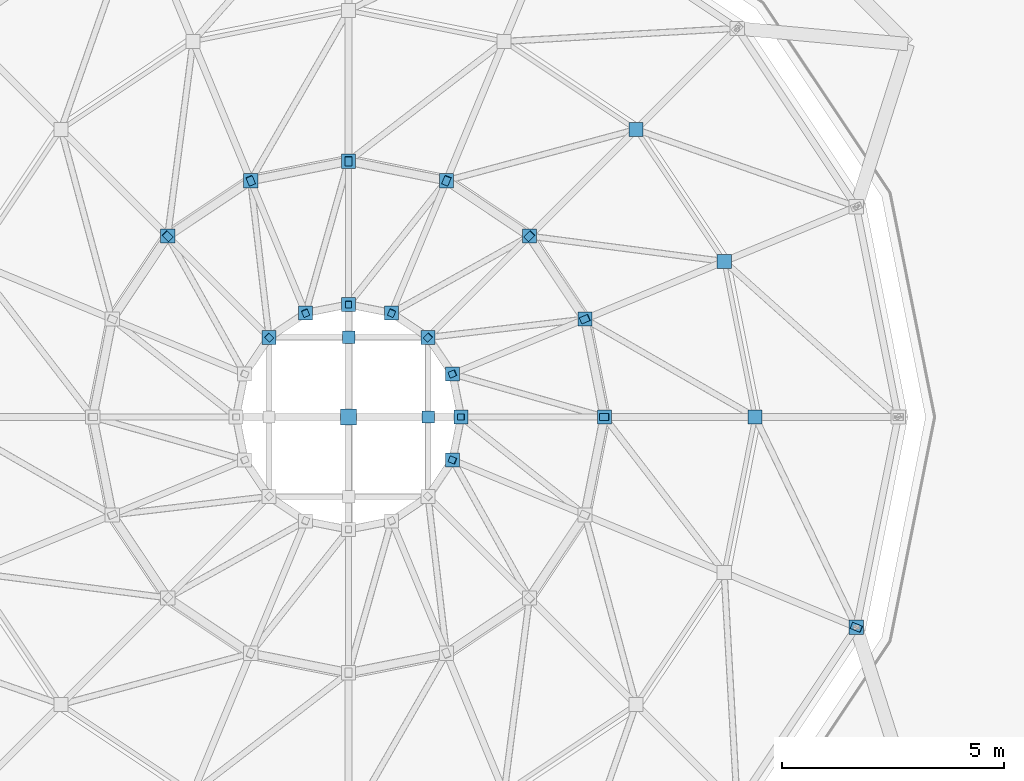
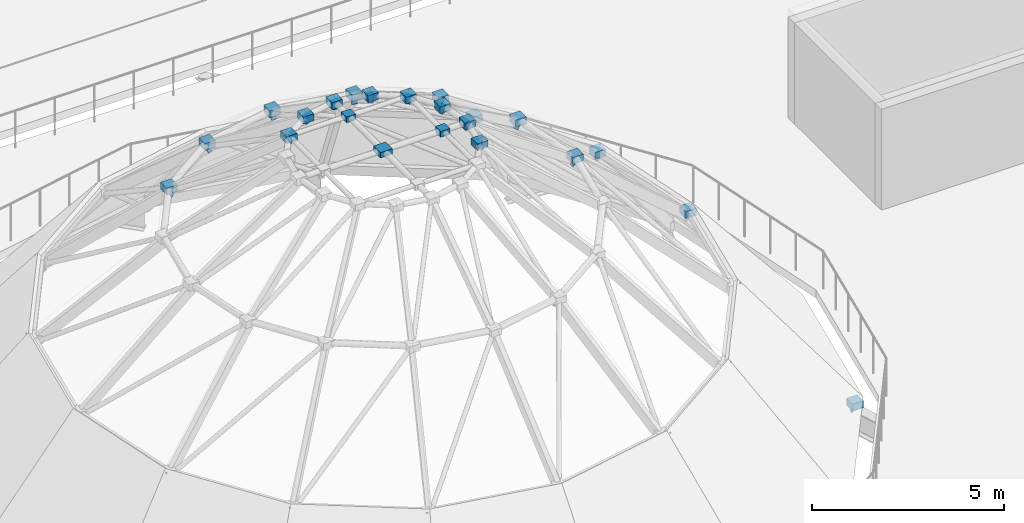
# One storey, part 29 of 40: 38 discrete accessories.
"""IFC4 building model written with IfcOpenShell, lengths in metres."""

from ifc_helpers import new_model, si_unit, direction, frame, origin, origin_2d, place, context, subcontext, project, spatial, rectangle, extrude, material, type_object, element, save


model = new_model("IFC4")

# Units and contexts
model_context = context("Model", 3, precision=1e-05, world=origin(), true_north=direction((0.0, 1.0)))
body_context = subcontext(model_context, "Body", "Model", "MODEL_VIEW")
ifc_project = project(units=[si_unit("LENGTHUNIT", "METRE"), si_unit("AREAUNIT", "SQUARE_METRE"), si_unit("VOLUMEUNIT", "CUBIC_METRE"), si_unit("PLANEANGLEUNIT", "RADIAN"), si_unit("MASSUNIT", "GRAM", prefix="KILO"), si_unit("THERMODYNAMICTEMPERATUREUNIT", "KELVIN")], contexts=[model_context])

# Site, building, storey
site_placement = place(None, origin())
site = spatial("IfcSite", under=ifc_project, at=site_placement, CompositionType="ELEMENT")
building_placement = place(site_placement, origin())
building = spatial("IfcBuilding", under=site, at=building_placement, Name="Lustrewick Department Store", CompositionType="ELEMENT")
storey_placement = place(building_placement, frame((0.0, 0.0, 31.800048828125)))
storey = spatial("IfcBuildingStorey", under=building, at=storey_placement, Name="L07", CompositionType="ELEMENT", Elevation=31.800048828125)

# Discrete accessories
ifc_material = material(Name="Structural steel Q355C", Category="steel")
discrete_accessory_type_1 = type_object("IfcDiscreteAccessoryType", Name="GUS-NODE", PredefinedType="BRACKET", material=ifc_material)
for number, where, z_axis, x_axis, name in (
    (1, (29.39990234375, 68.9921875, 8.9052734375), (0.0, 0.0, 1.0), (1.0, 0.0, 0.0), "V1 Dome Oculus X-Brace Crossing Gusset Node 1"),
    (2, (31.192138671875, 67.199951171875, 8.9052734375), (0.0, 0.0, 1.0), (1.0, 0.0, 0.0), "V1 Dome Oculus X-Brace Crossing Gusset Node 4"),
):
    element("IfcDiscreteAccessory", number, at=place(storey_placement, frame(where, z_axis=z_axis, x_axis=x_axis)), inside=storey, type_object=discrete_accessory_type_1, Name=name, PredefinedType="BRACKET", context=body_context, shape_type="SweptSolid", body=[
        extrude(rectangle(XDim=0.280029296875, YDim=0.280029296875, at=origin_2d()), origin(), (0.0, 0.0, 1.0), 0.179931640625),
    ])
for number, where, z_axis, x_axis, name in (
    (3, (40.83984375, 62.46142578125, -0.28076171875), (0.0, 0.0, 1.0), (1.0, 0.0, 0.0), "V1 Dome Truss Ring 0 Node Gusset 16"),
    (4, (38.559814453125, 67.199951171875, 3.755859375), (0.0, 0.0, 1.0), (1.0, 0.0, 0.0), "V1 Dome Truss Ring 1 Node Gusset 01"),
    (5, (37.862548828125, 70.705322265625, 3.755859375), (0.0, 0.0, 1.0), (1.0, 0.0, 0.0), "V1 Dome Truss Ring 1 Node Gusset 02"),
    (6, (35.876953125, 73.677001953125, 3.755859375), (0.0, 0.0, 1.0), (1.0, 0.0, 0.0), "V1 Dome Truss Ring 1 Node Gusset 03"),
    (7, (35.163330078125, 67.199951171875, 6.66796875), (0.0, 0.0, 1.0), (1.0, 0.0, 0.0), "V1 Dome Truss Ring 2 Node Gusset 01"),
    (8, (34.724609375, 69.405517578125, 6.66796875), (0.0, 0.0, 1.0), (1.0, 0.0, 0.0), "V1 Dome Truss Ring 2 Node Gusset 02"),
    (9, (33.475341796875, 71.275390625, 6.66796875), (0.0, 0.0, 1.0), (1.0, 0.0, 0.0), "V1 Dome Truss Ring 2 Node Gusset 03"),
    (10, (31.605712890625, 72.524658203125, 6.66796875), (0.0, 0.0, 1.0), (1.0, 0.0, 0.0), "V1 Dome Truss Ring 2 Node Gusset 04"),
    (11, (29.39990234375, 72.96337890625, 6.66796875), (0.0, 0.0, 1.0), (1.0, 0.0, 0.0), "V1 Dome Truss Ring 2 Node Gusset 05"),
    (12, (27.1943359375, 72.524658203125, 6.66796875), (0.0, 0.0, 1.0), (1.0, 0.0, 0.0), "V1 Dome Truss Ring 2 Node Gusset 06"),
    (13, (25.32470703125, 71.275390625, 6.66796875), (0.0, 0.0, 1.0), (1.0, 0.0, 0.0), "V1 Dome Truss Ring 2 Node Gusset 07"),
    (14, (31.9345703125, 67.199951171875, 8.88525390625), (0.0, 0.0, 1.0), (1.0, 0.0, 0.0), "V1 Dome Truss Ring 3 Node Gusset 01"),
    (15, (31.74169921875, 68.169921875, 8.88525390625), (0.0, 0.0, 1.0), (1.0, 0.0, 0.0), "V1 Dome Truss Ring 3 Node Gusset 02"),
    (16, (31.192138671875, 68.9921875, 8.88525390625), (0.0, 0.0, 1.0), (1.0, 0.0, 0.0), "V1 Dome Truss Ring 3 Node Gusset 03"),
    (17, (30.369873046875, 69.541748046875, 8.88525390625), (0.0, 0.0, 1.0), (1.0, 0.0, 0.0), "V1 Dome Truss Ring 3 Node Gusset 04"),
    (18, (29.39990234375, 69.734619140625, 8.88525390625), (0.0, 0.0, 1.0), (1.0, 0.0, 0.0), "V1 Dome Truss Ring 3 Node Gusset 05"),
    (19, (28.43017578125, 69.541748046875, 8.88525390625), (0.0, 0.0, 1.0), (1.0, 0.0, 0.0), "V1 Dome Truss Ring 3 Node Gusset 06"),
    (20, (27.60791015625, 68.9921875, 8.88525390625), (0.0, 0.0, 1.0), (1.0, 0.0, 0.0), "V1 Dome Truss Ring 3 Node Gusset 07"),
    (21, (31.74169921875, 66.22998046875, 8.88525390625), (0.0, 0.0, 1.0), (1.0, 0.0, 0.0), "V1 Dome Truss Ring 3 Node Gusset 16"),
):
    element("IfcDiscreteAccessory", number, at=place(storey_placement, frame(where, z_axis=z_axis, x_axis=x_axis)), inside=storey, type_object=discrete_accessory_type_1, Name=name, PredefinedType="BRACKET", context=body_context, shape_type="SweptSolid", body=[
        extrude(rectangle(XDim=0.320068359375, YDim=0.320068359375, at=origin_2d()), origin(), (0.0, 0.0, 1.0), 0.219970703125),
    ])
discrete_accessory_type_2 = type_object("IfcDiscreteAccessoryType", Name="SB-PTFE", PredefinedType="BRACKET", material=ifc_material)
discrete_accessory_1_placement = place(storey_placement, frame((29.39990234375, 67.199951171875, 8.9111328125), z_axis=(0.0, 0.0, 1.0), x_axis=(1.0, 0.0, 0.0)))
element("IfcDiscreteAccessory", 22, at=discrete_accessory_1_placement, inside=storey, type_object=discrete_accessory_type_2, Name="V1 Dome Oculus Central Steel Hub Boss", PredefinedType="BRACKET", context=body_context, shape_type="SweptSolid", body=[
    extrude(rectangle(XDim=0.360107421875, YDim=0.360107421875, at=origin_2d()), origin(), (0.0, 0.0, 1.0), 0.16796875),
])
discrete_accessory_type_3 = type_object("IfcDiscreteAccessoryType", Name="ECP-01", PredefinedType="USERDEFINED", material=ifc_material)
for number, where, z_axis, x_axis, name in (
    (23, (40.83642578125, 62.462890625, -0.322021484375), (0.579384507666, -0.239973033885, -0.778926527527), (-0.38266180877, -0.923888489001, 0.0), "L07 Welded Hollow-Section End-Cap Plate ECP-01"),
    (24, (29.39990234375, 72.968017578125, 6.62353515625), (0.0, -0.760656585404, 0.649154495542), (1.0, 0.0, 0.0), "L07 Welded Hollow-Section End-Cap Plate ECP-01"),
    (25, (27.192626953125, 72.52880859375, 6.62353515625), (0.291046406414, -0.702779982677, 0.649147352503), (0.923904905479, 0.382622170858, 0.0), "L07 Welded Hollow-Section End-Cap Plate ECP-01"),
):
    element("IfcDiscreteAccessory", number, at=place(storey_placement, frame(where, z_axis=z_axis, x_axis=x_axis)), inside=storey, type_object=discrete_accessory_type_3, Name=name, ObjectType="END_CAP_PLATE", PredefinedType="USERDEFINED", context=body_context, shape_type="SweptSolid", body=[
        extrude(rectangle(XDim=0.14990234375, YDim=0.300048828125, at=origin_2d()), origin(), (0.0, 0.0, 1.0), 0.01611328125),
    ])
discrete_accessory_2_placement = place(storey_placement, frame((27.6044921875, 68.99560546875, 8.893798828125), z_axis=(0.582214646702, -0.582214646702, 0.56749644081), x_axis=(0.707106781187, 0.707106781187, 0.0)))
element("IfcDiscreteAccessory", 26, at=discrete_accessory_2_placement, inside=storey, type_object=discrete_accessory_type_3, Name="L07 Welded Hollow-Section End-Cap Plate ECP-01", ObjectType="END_CAP_PLATE", PredefinedType="USERDEFINED", context=body_context, shape_type="SweptSolid", body=[
    extrude(rectangle(XDim=0.139892578125, YDim=0.260009765625, at=origin_2d()), origin(), (0.0, 0.0, 1.0), 0.01611328125),
])
for number, where, z_axis, x_axis, name in (
    (27, (31.607421875, 72.52880859375, 6.62353515625), (-0.291046406414, -0.702779982677, 0.649147352503), (0.923904905479, -0.382622170858, 0.0), "L07 Welded Hollow-Section End-Cap Plate ECP-01"),
    (28, (34.728759765625, 69.4072265625, 6.62353515625), (-0.702768730496, -0.291096753427, 0.649136959032), (0.382683896966, -0.923879340067, 0.0), "L07 Welded Hollow-Section End-Cap Plate ECP-01"),
    (29, (35.16796875, 67.199951171875, 6.62353515625), (-0.760656585404, 0.0, 0.649154495542), (0.0, -1.0, 0.0), "L07 Welded Hollow-Section End-Cap Plate ECP-01"),
):
    element("IfcDiscreteAccessory", number, at=place(storey_placement, frame(where, z_axis=z_axis, x_axis=x_axis)), inside=storey, type_object=discrete_accessory_type_3, Name=name, ObjectType="END_CAP_PLATE", PredefinedType="USERDEFINED", context=body_context, shape_type="SweptSolid", body=[
        extrude(rectangle(XDim=0.14990234375, YDim=0.300048828125, at=origin_2d()), origin(), (0.0, 0.0, 1.0), 0.01611328125),
    ])
for number, where, z_axis, x_axis, name in (
    (30, (28.42822265625, 69.54638671875, 8.893798828125), (0.315106762038, -0.760678120643, 0.567517863413), (0.923869412085, 0.382707864322, 0.0), "L07 Welded Hollow-Section End-Cap Plate ECP-01"),
    (31, (31.195556640625, 68.99560546875, 8.893798828125), (-0.582214646702, -0.582214646702, 0.56749644081), (0.707106781187, -0.707106781187, 0.0), "L07 Welded Hollow-Section End-Cap Plate ECP-01"),
    (32, (31.746337890625, 66.22802734375, 8.893798828125), (-0.760678120643, 0.315106762038, 0.567517863413), (-0.382707864322, -0.923869412085, 0.0), "L07 Welded Hollow-Section End-Cap Plate ECP-01"),
    (33, (29.39990234375, 69.739501953125, 8.893798828125), (0.0, -0.823365173466, 0.56751193038), (1.0, 0.0, 0.0), "L07 Welded Hollow-Section End-Cap Plate ECP-01"),
    (34, (30.371826171875, 69.54638671875, 8.893798828125), (-0.315106762038, -0.760678120643, 0.567517863413), (0.923869412085, -0.382707864322, 0.0), "L07 Welded Hollow-Section End-Cap Plate ECP-01"),
):
    element("IfcDiscreteAccessory", number, at=place(storey_placement, frame(where, z_axis=z_axis, x_axis=x_axis)), inside=storey, type_object=discrete_accessory_type_3, Name=name, ObjectType="END_CAP_PLATE", PredefinedType="USERDEFINED", context=body_context, shape_type="SweptSolid", body=[
        extrude(rectangle(XDim=0.139892578125, YDim=0.260009765625, at=origin_2d()), origin(), (0.0, 0.0, 1.0), 0.01611328125),
    ])
discrete_accessory_3_placement = place(storey_placement, frame((33.478515625, 71.278564453125, 6.62353515625), z_axis=(-0.537868383563, -0.537868383563, 0.649149600575), x_axis=(0.707106781187, -0.707106781187, 0.0)))
element("IfcDiscreteAccessory", 35, at=discrete_accessory_3_placement, inside=storey, type_object=discrete_accessory_type_3, Name="L07 Welded Hollow-Section End-Cap Plate ECP-01", ObjectType="END_CAP_PLATE", PredefinedType="USERDEFINED", context=body_context, shape_type="SweptSolid", body=[
    extrude(rectangle(XDim=0.14990234375, YDim=0.300048828125, at=origin_2d()), origin(), (0.0, 0.0, 1.0), 0.01611328125),
])
discrete_accessory_4_placement = place(storey_placement, frame((31.746337890625, 68.171875, 8.893798828125), z_axis=(-0.760678120643, -0.315106762038, 0.567517863413), x_axis=(0.382707864322, -0.923869412085, 0.0)))
element("IfcDiscreteAccessory", 36, at=discrete_accessory_4_placement, inside=storey, type_object=discrete_accessory_type_3, Name="L07 Welded Hollow-Section End-Cap Plate ECP-01", ObjectType="END_CAP_PLATE", PredefinedType="USERDEFINED", context=body_context, shape_type="SweptSolid", body=[
    extrude(rectangle(XDim=0.139892578125, YDim=0.260009765625, at=origin_2d()), origin(), (0.0, 0.0, 1.0), 0.01611328125),
])
discrete_accessory_5_placement = place(storey_placement, frame((25.321533203125, 71.278564453125, 6.62353515625), z_axis=(0.537868383563, -0.537868383563, 0.649149600575), x_axis=(0.707106781187, 0.707106781187, 0.0)))
element("IfcDiscreteAccessory", 37, at=discrete_accessory_5_placement, inside=storey, type_object=discrete_accessory_type_3, Name="L07 Welded Hollow-Section End-Cap Plate ECP-01", ObjectType="END_CAP_PLATE", PredefinedType="USERDEFINED", context=body_context, shape_type="SweptSolid", body=[
    extrude(rectangle(XDim=0.14990234375, YDim=0.300048828125, at=origin_2d()), origin(), (0.0, 0.0, 1.0), 0.01611328125),
])
discrete_accessory_6_placement = place(storey_placement, frame((31.939453125, 67.199951171875, 8.893798828125), z_axis=(-0.823365173466, 0.0, 0.56751193038), x_axis=(0.0, -1.0, 0.0)))
element("IfcDiscreteAccessory", 38, at=discrete_accessory_6_placement, inside=storey, type_object=discrete_accessory_type_3, Name="L07 Welded Hollow-Section End-Cap Plate ECP-01", ObjectType="END_CAP_PLATE", PredefinedType="USERDEFINED", context=body_context, shape_type="SweptSolid", body=[
    extrude(rectangle(XDim=0.139892578125, YDim=0.260009765625, at=origin_2d()), origin(), (0.0, 0.0, 1.0), 0.01611328125),
])

save(model, "model.ifc")
